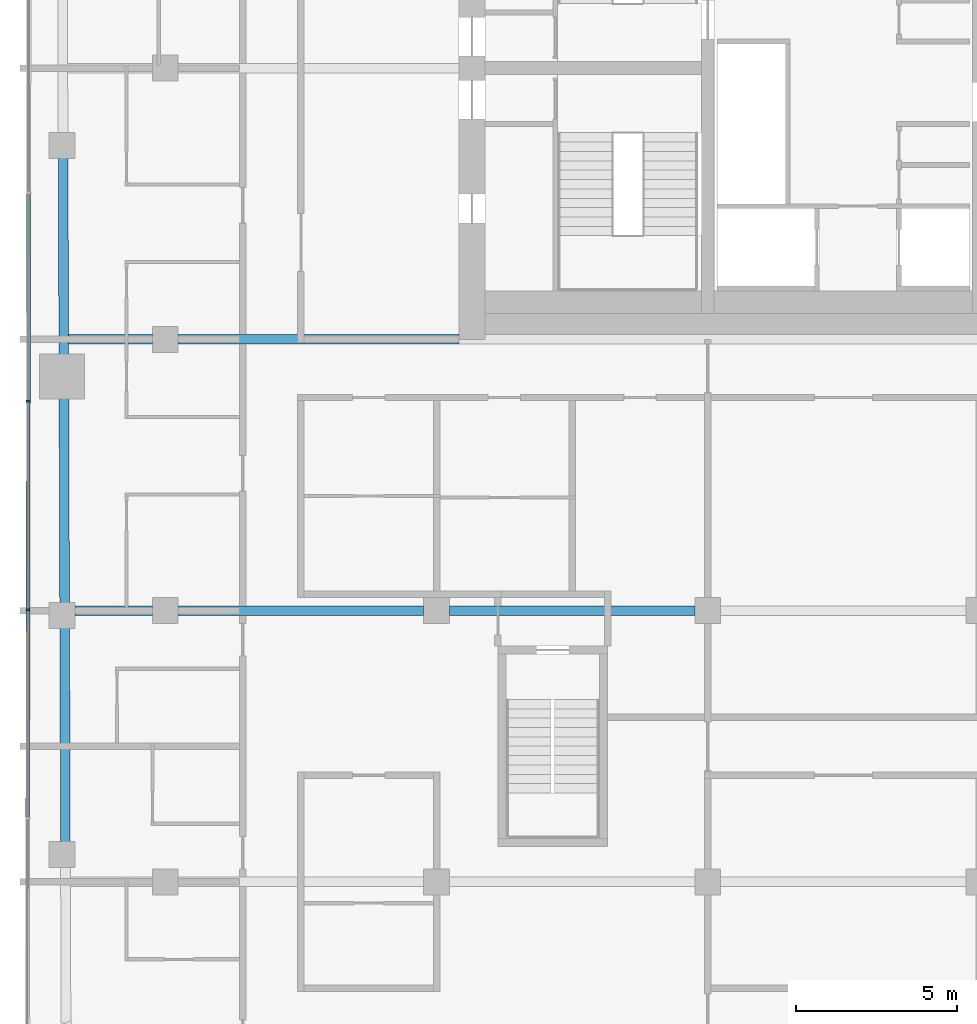
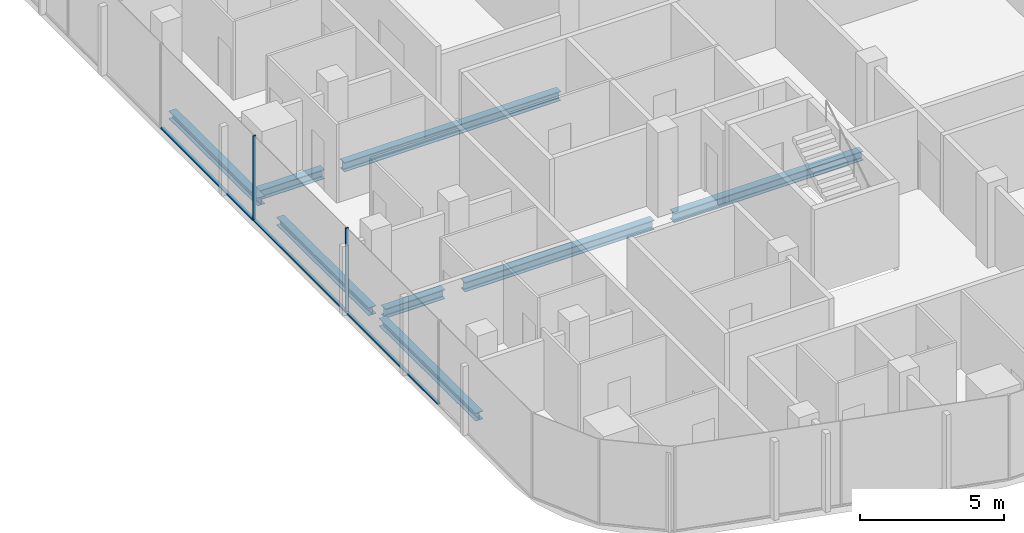
# One storey, part 4 of 21: 8 beams, 5 members, 1 element without a shape of its own.
"""IFC4 building model written with IfcOpenShell, lengths in metres."""

from ifc_helpers import new_model, si_unit, direction, frame, origin, origin_2d, place, context, subcontext, project, spatial, rectangle, i_section, extrude, material, layer, layer_set, material_profile, profile_set, type_object, element, aggregate, save


model = new_model("IFC4")

# Units and contexts
model_context = context("Model", 3, precision=1e-05, world=origin(), true_north=direction((0.0, 1.0)))
body_context = subcontext(model_context, "Body", "Model", "MODEL_VIEW")
ifc_project = project(units=[si_unit("LENGTHUNIT", "METRE"), si_unit("AREAUNIT", "SQUARE_METRE"), si_unit("VOLUMEUNIT", "CUBIC_METRE"), si_unit("PLANEANGLEUNIT", "RADIAN"), si_unit("MASSUNIT", "GRAM", prefix="KILO")], contexts=[model_context])

# Site, building, storey
site_placement = place(None, origin())
site = spatial("IfcSite", under=ifc_project, at=site_placement, CompositionType="ELEMENT")
building_placement = place(site_placement, origin())
building = spatial("IfcBuilding", under=site, at=building_placement, Name="Marenta Gate Hotel Tower", CompositionType="ELEMENT")
storey_placement = place(building_placement, frame((0.0, 0.0, 202.10009765625)))
storey = spatial("IfcBuildingStorey", under=building, at=storey_placement, Name="L46", CompositionType="ELEMENT", Elevation=202.10009765625)

# Beams
ifc_material_1 = material(Name="Steel S355", Category="steel")
ifc_material_profile_1 = material_profile(ifc_material_1, i_section(OverallWidth=0.300048828125, OverallDepth=0.340087890625, WebThickness=0.011962890625, FlangeThickness=0.021484375, FilletRadius=0.027099609375, at=origin_2d()), Name="HEB 340")
ifc_profile_set_1 = profile_set([ifc_material_profile_1], Name="Steel S355")
beam_type_1 = type_object("IfcBeamType", Name="Edge beam HEB 340", PredefinedType="SPANDREL", material=ifc_profile_set_1)
beam_1_placement = place(storey_placement, frame((-24.09375, -15.591796875, -0.43017578125), z_axis=(-0.00332539729, 0.999994470851, 0.0), x_axis=(-0.999994470851, -0.00332539729, 0.0)))
element("IfcBeam", 1, at=beam_1_placement, inside=storey, type_object=beam_type_1, Name="L46-EB-6", PredefinedType="SPANDREL", context=body_context, shape_type="SweptSolid", body=[
    extrude(i_section(OverallWidth=0.300048828125, OverallDepth=0.340087890625, WebThickness=0.011962890625, FlangeThickness=0.021484375, FilletRadius=0.027099609375, at=origin_2d()), origin(), (0.0, 0.0, 1.0), 6.680908203125),
])
beam_2_placement = place(storey_placement, frame((-24.118408203125, -8.19091796875, -0.43017578125), z_axis=(-0.003328723523, 0.999994459785, 0.0), x_axis=(-0.999994459785, -0.003328723523, 0.0)))
element("IfcBeam", 2, at=beam_2_placement, inside=storey, type_object=beam_type_1, Name="L46-EB-7", PredefinedType="SPANDREL", context=body_context, shape_type="SweptSolid", body=[
    extrude(i_section(OverallWidth=0.300048828125, OverallDepth=0.340087890625, WebThickness=0.011962890625, FlangeThickness=0.021484375, FilletRadius=0.027099609375, at=origin_2d()), origin(), (0.0, 0.0, 1.0), 6.380859375),
])
beam_3_placement = place(storey_placement, frame((-24.14404296875, -0.489990234375, -0.43017578125), z_axis=(-0.003303859048, 0.999994542243, 0.0), x_axis=(-0.999994542243, -0.003303859048, 0.0)))
element("IfcBeam", 3, at=beam_3_placement, inside=storey, type_object=beam_type_1, Name="L46-EB-8", PredefinedType="SPANDREL", context=body_context, shape_type="SweptSolid", body=[
    extrude(i_section(OverallWidth=0.300048828125, OverallDepth=0.340087890625, WebThickness=0.011962890625, FlangeThickness=0.021484375, FilletRadius=0.027099609375, at=origin_2d()), origin(), (0.0, 0.0, 1.0), 6.13330078125),
])
ifc_material_2 = material(Name="Steel S355", Category="steel")
ifc_material_profile_2 = material_profile(ifc_material_2, i_section(OverallWidth=0.300048828125, OverallDepth=0.39990234375, WebThickness=0.013427734375, FlangeThickness=0.02392578125, FilletRadius=0.027099609375, at=origin_2d()), Name="HEB 400")
ifc_profile_set_2 = profile_set([ifc_material_profile_2], Name="Steel S355")
beam_type_2 = type_object("IfcBeamType", Name="Girder HEB 400", PredefinedType="BEAM", material=ifc_profile_set_2)
beam_4_placement = place(storey_placement, frame((-23.800048828125, -8.39990234375, -0.460205078125), z_axis=(1.0, 0.0, 0.0), x_axis=(0.0, 1.0, 0.0)))
element("IfcBeam", 4, at=beam_4_placement, inside=storey, type_object=beam_type_2, Name="L46-GD-13", PredefinedType="BEAM", context=body_context, shape_type="SweptSolid", body=[
    extrude(i_section(OverallWidth=0.300048828125, OverallDepth=0.39990234375, WebThickness=0.013427734375, FlangeThickness=0.02392578125, FilletRadius=0.027099609375, at=origin_2d()), origin(), (0.0, 0.0, 1.0), 2.400146484375),
])
beam_5_placement = place(storey_placement, frame((-20.60009765625, -8.39990234375, -0.460205078125), z_axis=(1.0, 0.0, 0.0), x_axis=(0.0, 1.0, 0.0)))
element("IfcBeam", 5, at=beam_5_placement, inside=storey, type_object=beam_type_2, Name="L46-GD-14", PredefinedType="BEAM", context=body_context, shape_type="SweptSolid", body=[
    extrude(i_section(OverallWidth=0.300048828125, OverallDepth=0.39990234375, WebThickness=0.013427734375, FlangeThickness=0.02392578125, FilletRadius=0.027099609375, at=origin_2d()), origin(), (0.0, 0.0, 1.0), 7.60009765625),
])
beam_6_placement = place(storey_placement, frame((-12.199951171875, -8.39990234375, -0.460205078125), z_axis=(1.0, 0.0, 0.0), x_axis=(0.0, 1.0, 0.0)))
element("IfcBeam", 6, at=beam_6_placement, inside=storey, type_object=beam_type_2, Name="L46-GD-15", PredefinedType="BEAM", context=body_context, shape_type="SweptSolid", body=[
    extrude(i_section(OverallWidth=0.300048828125, OverallDepth=0.39990234375, WebThickness=0.013427734375, FlangeThickness=0.02392578125, FilletRadius=0.027099609375, at=origin_2d()), origin(), (0.0, 0.0, 1.0), 7.599853515625),
])
beam_7_placement = place(storey_placement, frame((-23.99560546875, 0.0, -0.460205078125), z_axis=(1.0, 0.0, 0.0), x_axis=(0.0, 1.0, 0.0)))
element("IfcBeam", 7, at=beam_7_placement, inside=storey, type_object=beam_type_2, Name="L46-GD-20", PredefinedType="BEAM", context=body_context, shape_type="SweptSolid", body=[
    extrude(i_section(OverallWidth=0.300048828125, OverallDepth=0.39990234375, WebThickness=0.013427734375, FlangeThickness=0.02392578125, FilletRadius=0.027099609375, at=origin_2d()), origin(), (0.0, 0.0, 1.0), 2.595703125),
])
beam_8_placement = place(storey_placement, frame((-20.60009765625, 0.0, -0.460205078125), z_axis=(1.0, 0.0, 0.0), x_axis=(0.0, 1.0, 0.0)))
element("IfcBeam", 8, at=beam_8_placement, inside=storey, type_object=beam_type_2, Name="L46-GD-21", PredefinedType="BEAM", context=body_context, shape_type="SweptSolid", body=[
    extrude(i_section(OverallWidth=0.300048828125, OverallDepth=0.39990234375, WebThickness=0.013427734375, FlangeThickness=0.02392578125, FilletRadius=0.027099609375, at=origin_2d()), origin(), (0.0, 0.0, 1.0), 8.7001953125),
])

# Curtain wall, members
ifc_material_3 = material(Name="Tinted insulated glass in bronze anodised frame", Category="glass")
ifc_layer = layer(ifc_material_3, 0.1201171875)
ifc_layer_set = layer_set([ifc_layer], Name="Tinted insulated glass in bronze anodised frame")
curtain_wall_type = type_object("IfcCurtainWallType", Name="Tower unitised curtain wall CW1", PredefinedType="NOTDEFINED", material=ifc_layer_set)
curtain_wall_placement = place(storey_placement, origin())
curtain_wall = element("IfcCurtainWall", 9, at=curtain_wall_placement, inside=storey, type_object=curtain_wall_type, Name="CW1 run G03", PredefinedType="NOTDEFINED")
ifc_material_4 = material(Name="Bronze anodised aluminium", Category="aluminium")
ifc_material_profile_3 = material_profile(ifc_material_4, rectangle(XDim=0.1201171875, YDim=0.06005859375, at=origin_2d()), Name="Mullion CW1 60x120 bronze anodised aluminium")
ifc_profile_set_3 = profile_set([ifc_material_profile_3], Name="Bronze anodised aluminium")
member_type_1 = type_object("IfcMemberType", Name="Mullion CW1 60x120 bronze anodised aluminium", PredefinedType="MULLION", material=ifc_profile_set_3)
member_1_placement = place(storey_placement, frame((-25.24267578125, -1.913818359375, 0.0), z_axis=(0.0, 0.0, 1.0), x_axis=(0.99999877375, -0.001566045546, 0.0)))
member_1 = element("IfcMember", 10, at=member_1_placement, type_object=member_type_1, Name="CW1 mullion 4", PredefinedType="MULLION", context=body_context, shape_type="SweptSolid", body=[
    extrude(rectangle(XDim=0.1201171875, YDim=0.06005859375, at=origin_2d()), origin(), (0.0, 0.0, 1.0), 3.599853515625),
])
member_2_placement = place(storey_placement, frame((-25.252685546875, -8.373779296875, 0.0), z_axis=(0.0, 0.0, 1.0), x_axis=(0.99999877375, -0.001566045546, 0.0)))
member_2 = element("IfcMember", 11, at=member_2_placement, type_object=member_type_1, Name="CW1 mullion 5", PredefinedType="MULLION", context=body_context, shape_type="SweptSolid", body=[
    extrude(rectangle(XDim=0.1201171875, YDim=0.06005859375, at=origin_2d()), origin(), (0.0, 0.0, 1.0), 3.599853515625),
])
ifc_material_5 = material(Name="Bronze anodised aluminium", Category="aluminium")
ifc_material_profile_4 = material_profile(ifc_material_5, rectangle(XDim=0.1201171875, YDim=0.06005859375, at=origin_2d()), Name="Transom CW1 60x120 bronze anodised aluminium")
ifc_profile_set_4 = profile_set([ifc_material_profile_4], Name="Bronze anodised aluminium")
member_type_2 = type_object("IfcMemberType", Name="Transom CW1 60x120 bronze anodised aluminium", PredefinedType="USERDEFINED", material=ifc_profile_set_4)
member_3_placement = place(storey_placement, frame((-25.232666015625, 4.51611328125, 0.02978515625), z_axis=(-0.001564047831, -0.999998776876, 0.0), x_axis=(0.999998776876, -0.001564047831, 0.0)))
member_3 = element("IfcMember", 12, at=member_3_placement, type_object=member_type_2, Name="CW1 transom 3.1", ObjectType="TRANSOM", PredefinedType="USERDEFINED", context=body_context, shape_type="SweptSolid", body=[
    extrude(rectangle(XDim=0.1201171875, YDim=0.06005859375, at=origin_2d()), origin(), (0.0, 0.0, 1.0), 6.39990234375),
])
member_4_placement = place(storey_placement, frame((-25.24267578125, -1.94384765625, 0.02978515625), z_axis=(-0.001564047831, -0.999998776876, 0.0), x_axis=(0.999998776876, -0.001564047831, 0.0)))
member_4 = element("IfcMember", 13, at=member_4_placement, type_object=member_type_2, Name="CW1 transom 4.1", ObjectType="TRANSOM", PredefinedType="USERDEFINED", context=body_context, shape_type="SweptSolid", body=[
    extrude(rectangle(XDim=0.1201171875, YDim=0.06005859375, at=origin_2d()), origin(), (0.0, 0.0, 1.0), 6.39990234375),
])
member_5_placement = place(storey_placement, frame((-25.2529296875, -8.40380859375, 0.02978515625), z_axis=(-0.001564047831, -0.999998776876, 0.0), x_axis=(0.999998776876, -0.001564047831, 0.0)))
member_5 = element("IfcMember", 14, at=member_5_placement, type_object=member_type_2, Name="CW1 transom 5.1", ObjectType="TRANSOM", PredefinedType="USERDEFINED", context=body_context, shape_type="SweptSolid", body=[
    extrude(rectangle(XDim=0.1201171875, YDim=0.06005859375, at=origin_2d()), origin(), (0.0, 0.0, 1.0), 6.39990234375),
])
aggregate(curtain_wall, [member_1, member_2, member_3, member_4, member_5])

save(model, "model.ifc")
